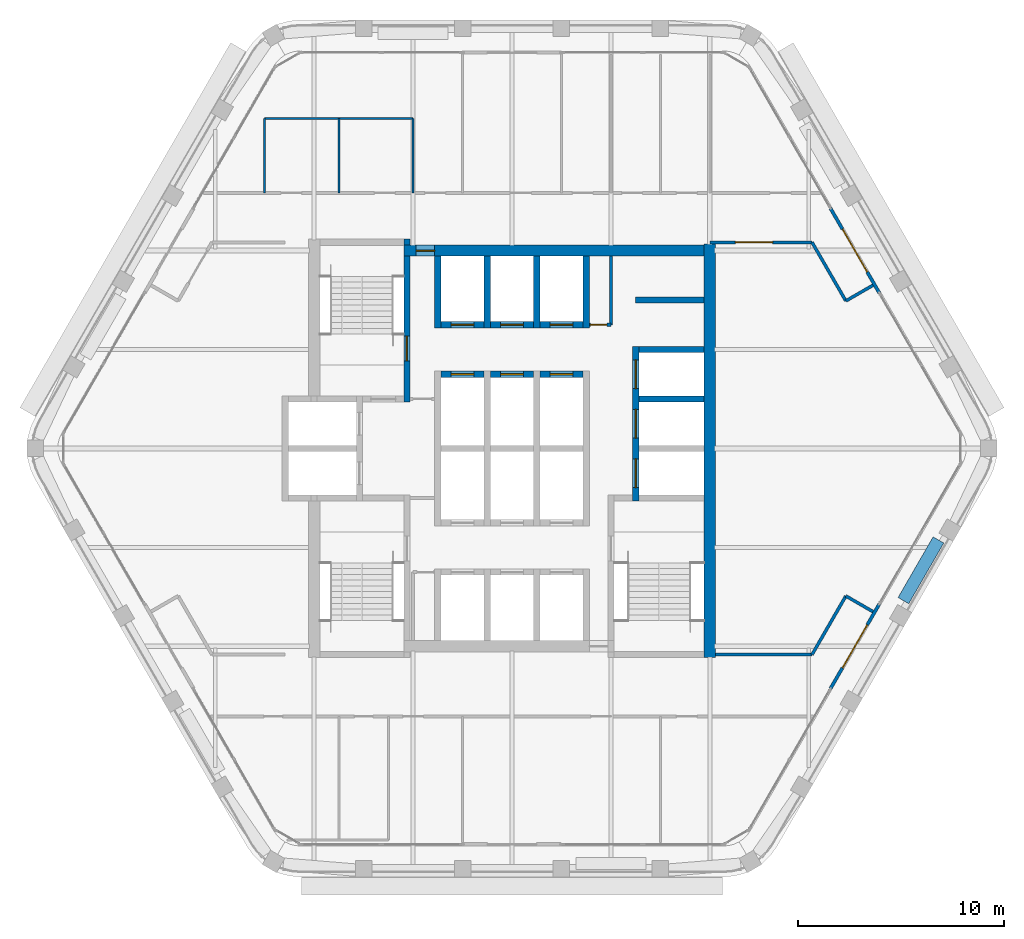
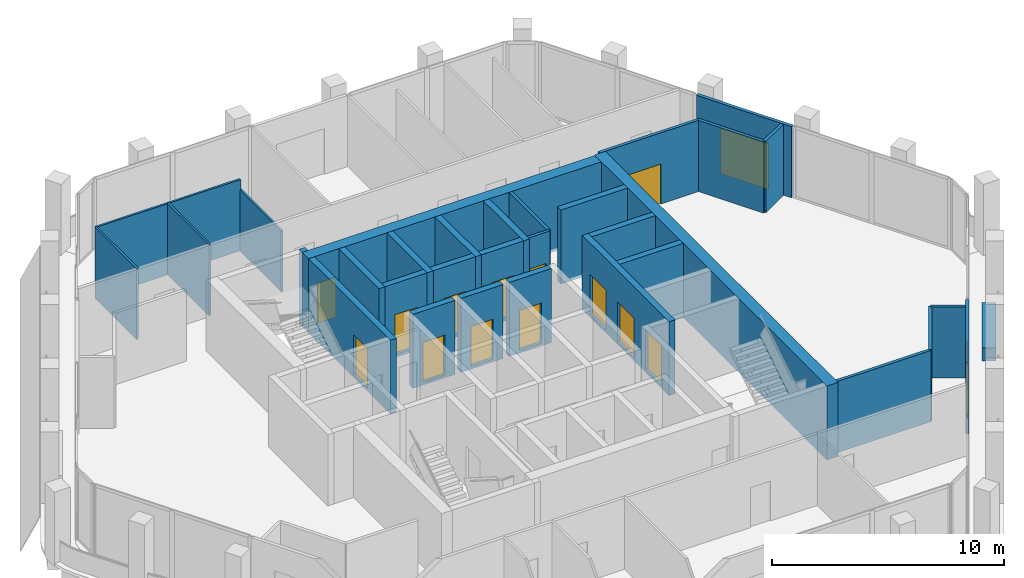
# One storey, part 9 of 13: 33 walls, 15 doors, 15 openings.
"""IFC4 building model written with IfcOpenShell, lengths in metres."""

from ifc_helpers import new_model, si_unit, direction, frame, frame_2d, origin, place, context, subcontext, project, spatial, rectangle, extrude, material, layer, layer_set, type_object, element, fill, save


model = new_model("IFC4")

# Units and contexts
model_context = context("Model", 3, precision=1e-05, world=origin(), true_north=direction((0.0, 1.0)))
body_context = subcontext(model_context, "Body", "Model", "MODEL_VIEW")
ifc_project = project(units=[si_unit("LENGTHUNIT", "METRE"), si_unit("AREAUNIT", "SQUARE_METRE"), si_unit("VOLUMEUNIT", "CUBIC_METRE"), si_unit("PLANEANGLEUNIT", "RADIAN"), si_unit("MASSUNIT", "GRAM", prefix="KILO")], contexts=[model_context])

# Site, building, storey
site_placement = place(None, origin())
site = spatial("IfcSite", under=ifc_project, at=site_placement, CompositionType="ELEMENT")
building_placement = place(site_placement, origin())
building = spatial("IfcBuilding", under=site, at=building_placement, Name="Kolab Exchange Tower", CompositionType="ELEMENT")
storey_placement = place(building_placement, frame((0.0, 0.0, 226.699951171875)))
storey = spatial("IfcBuildingStorey", under=building, at=storey_placement, Name="L49", CompositionType="ELEMENT", Elevation=226.699951171875)

# Wall, opening, door
ifc_material_1 = material(Name="Concrete C50/60", Category="concrete")
ifc_layer_1 = layer(ifc_material_1, 0.550048828125)
ifc_layer_set_1 = layer_set([ifc_layer_1], Name="Concrete C50/60")
wall_type_1 = type_object("IfcWallType", Name="CORE WALL 550 C50/60", PredefinedType="SHEAR", material=ifc_layer_set_1)
wall_1_placement = place(storey_placement, frame((-5.25, 9.60009765625, -0.14990234375), z_axis=(0.0, 0.0, 1.0), x_axis=(1.0, 0.0, 0.0)))
wall_1 = element("IfcWall", 1, at=wall_1_placement, inside=storey, type_object=wall_type_1, Name="wall/L49/core/031", PredefinedType="SHEAR", context=body_context, shape_type="SweptSolid", body=[
    extrude(rectangle(XDim=14.574951171875, YDim=0.550048828125, at=frame_2d((7.28759765625, 0.0))), origin(), (0.0, 0.0, 1.0), 3.89990234375),
])
opening_1_placement = place(wall_1_placement, frame((0.60009765625, 0.0, 0.14990234375)))
opening_1 = element("IfcOpeningElement", 2, at=opening_1_placement, cuts=wall_1, Name="Opening D6-295", PredefinedType="OPENING", context=body_context, shape_type="SweptSolid", body=[
    extrude(rectangle(XDim=0.89990234375, YDim=2.10009765625, at=frame_2d((0.449951171875, 1.050048828125))), frame((0.0, 0.28515625, 0.0), z_axis=(0.0, -1.0, 0.0), x_axis=(1.0, 0.0, 0.0)), (0.0, 0.0, 1.0), 0.570068359375),
])
ifc_material_2 = material(Name="Steel S235", Category="steel")
door_type_1 = type_object("IfcDoorType", Name="CORE DOOR 900 EI 120", OperationType="SINGLE_SWING_LEFT", PredefinedType="DOOR", material=ifc_material_2)
door_1_placement = place(opening_1_placement, frame((0.89990234375, 0.0, 0.0), z_axis=(0.0, 0.0, 1.0), x_axis=(-1.0, 0.0, 0.0)))
door_1 = element("IfcDoor", 3, at=door_1_placement, inside=storey, type_object=door_type_1, Name="Core lobby door", OperationType="SINGLE_SWING_RIGHT", OverallHeight=2.10009765625, OverallWidth=0.89990234375, PredefinedType="DOOR", context=body_context, shape_type="SweptSolid", body=[
    extrude(rectangle(XDim=0.89990234375, YDim=2.10009765625, at=frame_2d((0.449951171875, 1.050048828125))), frame((0.0, 0.02490234375, 0.0), z_axis=(0.0, -1.0, 0.0), x_axis=(1.0, 0.0, 0.0)), (0.0, 0.0, 1.0), 0.050048828125),
])
fill(opening_1, door_1)

# Wall
wall_2_placement = place(storey_placement, frame((9.60009765625, -10.14990234375, -0.14990234375), z_axis=(0.0, 0.0, 1.0), x_axis=(0.0, 1.0, 0.0)))
element("IfcWall", 4, at=wall_2_placement, inside=storey, type_object=wall_type_1, Name="wall/L49/core/058", PredefinedType="SHEAR", context=body_context, shape_type="SweptSolid", body=[
    extrude(rectangle(XDim=20.074951171875, YDim=0.550048828125, at=frame_2d((10.03759765625, 0.0))), origin(), (0.0, 0.0, 1.0), 3.89990234375),
])

# Wall, opening, door
ifc_material_3 = material(Name="Aluminium EN AW-6063 T6", Category="aluminium")
ifc_layer_2 = layer(ifc_material_3, 0.159912109375)
ifc_layer_set_2 = layer_set([ifc_layer_2], Name="Aluminium EN AW-6063 T6")
wall_type_2 = type_object("IfcWallType", Name="DOOR SURROUND WALL 160 ALUMINIUM FRAMED", PredefinedType="PARTITIONING", material=ifc_layer_set_2)
wall_3_placement = place(storey_placement, frame((15.44677734375, 11.65478515625, 0.0), z_axis=(0.0, 0.0, 1.0), x_axis=(0.499978080042, -0.866038058908, 0.0)))
wall_3 = element("IfcWall", 5, at=wall_3_placement, inside=storey, type_object=wall_type_2, Name="Door surround wall", PredefinedType="PARTITIONING", context=body_context, shape_type="SweptSolid", body=[
    extrude(rectangle(XDim=4.739990234375, YDim=0.159912109375, at=frame_2d((2.3701171875, 0.0))), origin(), (0.0, 0.0, 1.0), 3.75),
])
opening_2_placement = place(wall_3_placement, frame((1.169921875, 0.0, 0.0)))
opening_2 = element("IfcOpeningElement", 6, at=opening_2_placement, cuts=wall_3, Name="Opening GD1-090", PredefinedType="OPENING", context=body_context, shape_type="SweptSolid", body=[
    extrude(rectangle(XDim=2.39990234375, YDim=2.39990234375, at=frame_2d((1.199951171875, 1.199951171875))), frame((0.0, 0.08984375, 0.0), z_axis=(0.0, -1.0, 0.0), x_axis=(1.0, 0.0, 0.0)), (0.0, 0.0, 1.0), 0.179931640625),
])
door_type_2 = type_object("IfcDoorType", Name="LOGGIA SLIDING GLASS DOOR 2400 X 2400", OperationType="DOUBLE_DOOR_SINGLE_SWING", PredefinedType="DOOR", material=ifc_material_3)
door_2_placement = place(opening_2_placement, origin())
door_2 = element("IfcDoor", 7, at=door_2_placement, inside=storey, type_object=door_type_2, Name="Loggia door", OperationType="DOUBLE_DOOR_SLIDING", OverallHeight=2.39990234375, OverallWidth=2.39990234375, PredefinedType="DOOR", context=body_context, shape_type="SweptSolid", body=[
    extrude(rectangle(XDim=2.39990234375, YDim=2.39990234375, at=frame_2d((1.199951171875, 1.199951171875))), frame((0.0, 0.02490234375, 0.0), z_axis=(0.0, -1.0, 0.0), x_axis=(1.0, 0.0, 0.0)), (0.0, 0.0, 1.0), 0.050048828125),
])
fill(opening_2, door_2)

wall_4_placement = place(storey_placement, frame((17.816650390625, -7.5498046875, 0.0), z_axis=(0.0, 0.0, 1.0), x_axis=(-0.499978080042, -0.866038058908, 0.0)))
wall_4 = element("IfcWall", 8, at=wall_4_placement, inside=storey, type_object=wall_type_2, Name="Door surround wall", PredefinedType="PARTITIONING", context=body_context, shape_type="SweptSolid", body=[
    extrude(rectangle(XDim=4.739990234375, YDim=0.159912109375, at=frame_2d((2.3701171875, 0.0))), origin(), (0.0, 0.0, 1.0), 3.75),
])
opening_3_placement = place(wall_4_placement, frame((1.169921875, 0.0, 0.0)))
opening_3 = element("IfcOpeningElement", 9, at=opening_3_placement, cuts=wall_4, Name="Opening GD1-091", PredefinedType="OPENING", context=body_context, shape_type="SweptSolid", body=[
    extrude(rectangle(XDim=2.39990234375, YDim=2.39990234375, at=frame_2d((1.199951171875, 1.199951171875))), frame((0.0, 0.08984375, 0.0), z_axis=(0.0, -1.0, 0.0), x_axis=(1.0, 0.0, 0.0)), (0.0, 0.0, 1.0), 0.179931640625),
])
door_3_placement = place(opening_3_placement, origin())
door_3 = element("IfcDoor", 10, at=door_3_placement, inside=storey, type_object=door_type_2, Name="Loggia door", OperationType="DOUBLE_DOOR_SLIDING", OverallHeight=2.39990234375, OverallWidth=2.39990234375, PredefinedType="DOOR", context=body_context, shape_type="SweptSolid", body=[
    extrude(rectangle(XDim=2.39990234375, YDim=2.39990234375, at=frame_2d((1.199951171875, 1.199951171875))), frame((0.0, 0.02490234375, 0.0), z_axis=(0.0, -1.0, 0.0), x_axis=(1.0, 0.0, 0.0)), (0.0, 0.0, 1.0), 0.050048828125),
])
fill(opening_3, door_3)

# Wall
ifc_layer_3 = layer(ifc_material_1, 0.300048828125)
ifc_layer_set_3 = layer_set([ifc_layer_3], Name="Concrete C50/60")
wall_type_3 = type_object("IfcWallType", Name="LIFT SHAFT WALL 300 C50/60", PredefinedType="STANDARD", material=ifc_layer_set_3)
wall_5_placement = place(storey_placement, frame((6.14990234375, 2.39990234375, -0.14990234375), z_axis=(0.0, 0.0, 1.0), x_axis=(1.0, 0.0, 0.0)))
element("IfcWall", 11, at=wall_5_placement, inside=storey, type_object=wall_type_3, Name="wall/L49/core/022", PredefinedType="STANDARD", context=body_context, shape_type="SweptSolid", body=[
    extrude(rectangle(XDim=3.175048828125, YDim=0.300048828125, at=frame_2d((1.58740234375, 0.0))), origin(), (0.0, 0.0, 1.0), 3.89990234375),
])

# Wall, opening, door
wall_6_placement = place(storey_placement, frame((-3.449951171875, 3.60009765625, -0.14990234375), z_axis=(0.0, 0.0, 1.0), x_axis=(1.0, 0.0, 0.0)))
wall_6 = element("IfcWall", 12, at=wall_6_placement, inside=storey, type_object=wall_type_3, Name="wall/L49/core/023", PredefinedType="STANDARD", context=body_context, shape_type="SweptSolid", body=[
    extrude(rectangle(XDim=2.099853515625, YDim=0.300048828125, at=frame_2d((1.0498046875, 0.0))), origin(), (0.0, 0.0, 1.0), 3.89990234375),
])
opening_4_placement = place(wall_6_placement, frame((0.5, 0.0, 0.14990234375)))
opening_4 = element("IfcOpeningElement", 13, at=opening_4_placement, cuts=wall_6, Name="Opening LD1-115", PredefinedType="OPENING", context=body_context, shape_type="SweptSolid", body=[
    extrude(rectangle(XDim=1.10009765625, YDim=2.10009765625, at=frame_2d((0.550048828125, 1.050048828125))), frame((0.0, 0.16015625, 0.0), z_axis=(0.0, -1.0, 0.0), x_axis=(1.0, 0.0, 0.0)), (0.0, 0.0, 1.0), 0.320068359375),
])
ifc_material_4 = material(Name="Stainless steel 316", Category="steel")
door_type_3 = type_object("IfcDoorType", Name="LANDING DOOR 1100 PASSENGER", OperationType="DOUBLE_DOOR_SLIDING", PredefinedType="DOOR", material=ifc_material_4)
door_4_placement = place(opening_4_placement, origin())
door_4 = element("IfcDoor", 14, at=door_4_placement, inside=storey, type_object=door_type_3, Name="Landing door HR4", OperationType="DOUBLE_DOOR_SLIDING", OverallHeight=2.10009765625, OverallWidth=1.10009765625, PredefinedType="DOOR", context=body_context, shape_type="SweptSolid", body=[
    extrude(rectangle(XDim=1.10009765625, YDim=2.10009765625, at=frame_2d((0.550048828125, 1.050048828125))), frame((0.0, 0.02490234375, 0.0), z_axis=(0.0, -1.0, 0.0), x_axis=(1.0, 0.0, 0.0)), (0.0, 0.0, 1.0), 0.050048828125),
])
fill(opening_4, door_4)

wall_7_placement = place(storey_placement, frame((-1.050048828125, 3.60009765625, -0.14990234375), z_axis=(0.0, 0.0, 1.0), x_axis=(1.0, 0.0, 0.0)))
wall_7 = element("IfcWall", 15, at=wall_7_placement, inside=storey, type_object=wall_type_3, Name="wall/L49/core/024", PredefinedType="STANDARD", context=body_context, shape_type="SweptSolid", body=[
    extrude(rectangle(XDim=2.10009765625, YDim=0.300048828125, at=frame_2d((1.050048828125, 0.0))), origin(), (0.0, 0.0, 1.0), 3.89990234375),
])
opening_5_placement = place(wall_7_placement, frame((0.5, 0.0, 0.14990234375)))
opening_5 = element("IfcOpeningElement", 16, at=opening_5_placement, cuts=wall_7, Name="Opening LD1-116", PredefinedType="OPENING", context=body_context, shape_type="SweptSolid", body=[
    extrude(rectangle(XDim=1.10009765625, YDim=2.10009765625, at=frame_2d((0.550048828125, 1.050048828125))), frame((0.0, 0.16015625, 0.0), z_axis=(0.0, -1.0, 0.0), x_axis=(1.0, 0.0, 0.0)), (0.0, 0.0, 1.0), 0.320068359375),
])
door_5_placement = place(opening_5_placement, origin())
door_5 = element("IfcDoor", 17, at=door_5_placement, inside=storey, type_object=door_type_3, Name="Landing door HR5", OperationType="DOUBLE_DOOR_SLIDING", OverallHeight=2.10009765625, OverallWidth=1.10009765625, PredefinedType="DOOR", context=body_context, shape_type="SweptSolid", body=[
    extrude(rectangle(XDim=1.10009765625, YDim=2.10009765625, at=frame_2d((0.550048828125, 1.050048828125))), frame((0.0, 0.02490234375, 0.0), z_axis=(0.0, -1.0, 0.0), x_axis=(1.0, 0.0, 0.0)), (0.0, 0.0, 1.0), 0.050048828125),
])
fill(opening_5, door_5)

wall_8_placement = place(storey_placement, frame((1.35009765625, 3.60009765625, -0.14990234375), z_axis=(0.0, 0.0, 1.0), x_axis=(1.0, 0.0, 0.0)))
wall_8 = element("IfcWall", 18, at=wall_8_placement, inside=storey, type_object=wall_type_3, Name="wall/L49/core/025", PredefinedType="STANDARD", context=body_context, shape_type="SweptSolid", body=[
    extrude(rectangle(XDim=2.099853515625, YDim=0.300048828125, at=frame_2d((1.0498046875, 0.0))), origin(), (0.0, 0.0, 1.0), 3.89990234375),
])
opening_6_placement = place(wall_8_placement, frame((0.5, 0.0, 0.14990234375)))
opening_6 = element("IfcOpeningElement", 19, at=opening_6_placement, cuts=wall_8, Name="Opening LD1-117", PredefinedType="OPENING", context=body_context, shape_type="SweptSolid", body=[
    extrude(rectangle(XDim=1.10009765625, YDim=2.10009765625, at=frame_2d((0.550048828125, 1.050048828125))), frame((0.0, 0.16015625, 0.0), z_axis=(0.0, -1.0, 0.0), x_axis=(1.0, 0.0, 0.0)), (0.0, 0.0, 1.0), 0.320068359375),
])
door_6_placement = place(opening_6_placement, origin())
door_6 = element("IfcDoor", 20, at=door_6_placement, inside=storey, type_object=door_type_3, Name="Landing door HR6", OperationType="DOUBLE_DOOR_SLIDING", OverallHeight=2.10009765625, OverallWidth=1.10009765625, PredefinedType="DOOR", context=body_context, shape_type="SweptSolid", body=[
    extrude(rectangle(XDim=1.10009765625, YDim=2.10009765625, at=frame_2d((0.550048828125, 1.050048828125))), frame((0.0, 0.02490234375, 0.0), z_axis=(0.0, -1.0, 0.0), x_axis=(1.0, 0.0, 0.0)), (0.0, 0.0, 1.0), 0.050048828125),
])
fill(opening_6, door_6)

# Wall
wall_9_placement = place(storey_placement, frame((6.14990234375, 4.800048828125, -0.14990234375), z_axis=(0.0, 0.0, 1.0), x_axis=(1.0, 0.0, 0.0)))
element("IfcWall", 21, at=wall_9_placement, inside=storey, type_object=wall_type_3, Name="wall/L49/core/026", PredefinedType="STANDARD", context=body_context, shape_type="SweptSolid", body=[
    extrude(rectangle(XDim=3.175048828125, YDim=0.300048828125, at=frame_2d((1.58740234375, 0.0))), origin(), (0.0, 0.0, 1.0), 3.89990234375),
])

# Wall, opening, door
wall_10_placement = place(storey_placement, frame((-3.449951171875, 6.0, -0.14990234375), z_axis=(0.0, 0.0, 1.0), x_axis=(1.0, 0.0, 0.0)))
wall_10 = element("IfcWall", 22, at=wall_10_placement, inside=storey, type_object=wall_type_3, Name="wall/L49/core/027", PredefinedType="STANDARD", context=body_context, shape_type="SweptSolid", body=[
    extrude(rectangle(XDim=2.099853515625, YDim=0.300048828125, at=frame_2d((1.0498046875, 0.0))), origin(), (0.0, 0.0, 1.0), 3.89990234375),
])
opening_7_placement = place(wall_10_placement, frame((0.5, 0.0, 0.14990234375)))
opening_7 = element("IfcOpeningElement", 23, at=opening_7_placement, cuts=wall_10, Name="Opening LD1-109", PredefinedType="OPENING", context=body_context, shape_type="SweptSolid", body=[
    extrude(rectangle(XDim=1.10009765625, YDim=2.10009765625, at=frame_2d((0.550048828125, 1.050048828125))), frame((0.0, 0.16015625, 0.0), z_axis=(0.0, -1.0, 0.0), x_axis=(1.0, 0.0, 0.0)), (0.0, 0.0, 1.0), 0.320068359375),
])
door_7_placement = place(opening_7_placement, origin())
door_7 = element("IfcDoor", 24, at=door_7_placement, inside=storey, type_object=door_type_3, Name="Landing door HR1", OperationType="DOUBLE_DOOR_SLIDING", OverallHeight=2.10009765625, OverallWidth=1.10009765625, PredefinedType="DOOR", context=body_context, shape_type="SweptSolid", body=[
    extrude(rectangle(XDim=1.10009765625, YDim=2.10009765625, at=frame_2d((0.550048828125, 1.050048828125))), frame((0.0, 0.02490234375, 0.0), z_axis=(0.0, -1.0, 0.0), x_axis=(1.0, 0.0, 0.0)), (0.0, 0.0, 1.0), 0.050048828125),
])
fill(opening_7, door_7)

wall_11_placement = place(storey_placement, frame((-1.050048828125, 6.0, -0.14990234375), z_axis=(0.0, 0.0, 1.0), x_axis=(1.0, 0.0, 0.0)))
wall_11 = element("IfcWall", 25, at=wall_11_placement, inside=storey, type_object=wall_type_3, Name="wall/L49/core/028", PredefinedType="STANDARD", context=body_context, shape_type="SweptSolid", body=[
    extrude(rectangle(XDim=2.10009765625, YDim=0.300048828125, at=frame_2d((1.050048828125, 0.0))), origin(), (0.0, 0.0, 1.0), 3.89990234375),
])
opening_8_placement = place(wall_11_placement, frame((0.5, 0.0, 0.14990234375)))
opening_8 = element("IfcOpeningElement", 26, at=opening_8_placement, cuts=wall_11, Name="Opening LD1-113", PredefinedType="OPENING", context=body_context, shape_type="SweptSolid", body=[
    extrude(rectangle(XDim=1.10009765625, YDim=2.10009765625, at=frame_2d((0.550048828125, 1.050048828125))), frame((0.0, 0.16015625, 0.0), z_axis=(0.0, -1.0, 0.0), x_axis=(1.0, 0.0, 0.0)), (0.0, 0.0, 1.0), 0.320068359375),
])
door_8_placement = place(opening_8_placement, origin())
door_8 = element("IfcDoor", 27, at=door_8_placement, inside=storey, type_object=door_type_3, Name="Landing door HR2", OperationType="DOUBLE_DOOR_SLIDING", OverallHeight=2.10009765625, OverallWidth=1.10009765625, PredefinedType="DOOR", context=body_context, shape_type="SweptSolid", body=[
    extrude(rectangle(XDim=1.10009765625, YDim=2.10009765625, at=frame_2d((0.550048828125, 1.050048828125))), frame((0.0, 0.02490234375, 0.0), z_axis=(0.0, -1.0, 0.0), x_axis=(1.0, 0.0, 0.0)), (0.0, 0.0, 1.0), 0.050048828125),
])
fill(opening_8, door_8)

wall_12_placement = place(storey_placement, frame((1.35009765625, 6.0, -0.14990234375), z_axis=(0.0, 0.0, 1.0), x_axis=(1.0, 0.0, 0.0)))
wall_12 = element("IfcWall", 28, at=wall_12_placement, inside=storey, type_object=wall_type_3, Name="wall/L49/core/029", PredefinedType="STANDARD", context=body_context, shape_type="SweptSolid", body=[
    extrude(rectangle(XDim=2.099853515625, YDim=0.300048828125, at=frame_2d((1.0498046875, 0.0))), origin(), (0.0, 0.0, 1.0), 3.89990234375),
])
opening_9_placement = place(wall_12_placement, frame((0.5, 0.0, 0.14990234375)))
opening_9 = element("IfcOpeningElement", 29, at=opening_9_placement, cuts=wall_12, Name="Opening LD1-114", PredefinedType="OPENING", context=body_context, shape_type="SweptSolid", body=[
    extrude(rectangle(XDim=1.10009765625, YDim=2.10009765625, at=frame_2d((0.550048828125, 1.050048828125))), frame((0.0, 0.16015625, 0.0), z_axis=(0.0, -1.0, 0.0), x_axis=(1.0, 0.0, 0.0)), (0.0, 0.0, 1.0), 0.320068359375),
])
door_9_placement = place(opening_9_placement, origin())
door_9 = element("IfcDoor", 30, at=door_9_placement, inside=storey, type_object=door_type_3, Name="Landing door HR3", OperationType="DOUBLE_DOOR_SLIDING", OverallHeight=2.10009765625, OverallWidth=1.10009765625, PredefinedType="DOOR", context=body_context, shape_type="SweptSolid", body=[
    extrude(rectangle(XDim=1.10009765625, YDim=2.10009765625, at=frame_2d((0.550048828125, 1.050048828125))), frame((0.0, 0.02490234375, 0.0), z_axis=(0.0, -1.0, 0.0), x_axis=(1.0, 0.0, 0.0)), (0.0, 0.0, 1.0), 0.050048828125),
])
fill(opening_9, door_9)

# Walls
wall_13_placement = place(storey_placement, frame((6.0, 7.199951171875, -0.14990234375), z_axis=(0.0, 0.0, 1.0), x_axis=(1.0, 0.0, 0.0)))
element("IfcWall", 31, at=wall_13_placement, inside=storey, type_object=wall_type_3, Name="wall/L49/core/030", PredefinedType="STANDARD", context=body_context, shape_type="SweptSolid", body=[
    extrude(rectangle(XDim=3.324951171875, YDim=0.300048828125, at=frame_2d((1.66259765625, 0.0))), origin(), (0.0, 0.0, 1.0), 3.89990234375),
])
for number, where, z_axis, x_axis, name in (
    (32, (-3.60009765625, 5.85009765625, -0.14990234375), (0.0, 0.0, 1.0), (0.0, 1.0, 0.0), "wall/L49/core/045"),
    (33, (-1.199951171875, 5.85009765625, -0.14990234375), (0.0, 0.0, 1.0), (0.0, 1.0, 0.0), "wall/L49/core/048"),
    (34, (1.199951171875, 5.85009765625, -0.14990234375), (0.0, 0.0, 1.0), (0.0, 1.0, 0.0), "wall/L49/core/051"),
    (35, (3.60009765625, 5.85009765625, -0.14990234375), (0.0, 0.0, 1.0), (0.0, 1.0, 0.0), "wall/L49/core/054"),
):
    element("IfcWall", number, at=place(storey_placement, frame(where, z_axis=z_axis, x_axis=x_axis)), inside=storey, type_object=wall_type_3, Name=name, PredefinedType="STANDARD", context=body_context, shape_type="SweptSolid", body=[
        extrude(rectangle(XDim=3.474853515625, YDim=0.300048828125, at=frame_2d((1.7373046875, 0.0))), origin(), (0.0, 0.0, 1.0), 3.89990234375),
    ])

# Wall, openings, doors
wall_14_placement = place(storey_placement, frame((6.0, -2.550048828125, -0.14990234375), z_axis=(0.0, 0.0, 1.0), x_axis=(0.0, 1.0, 0.0)))
wall_14 = element("IfcWall", 36, at=wall_14_placement, inside=storey, type_object=wall_type_3, Name="wall/L49/core/057", PredefinedType="STANDARD", context=body_context, shape_type="SweptSolid", body=[
    extrude(rectangle(XDim=7.5, YDim=0.300048828125, at=frame_2d((3.75, 0.0))), origin(), (0.0, 0.0, 1.0), 3.89990234375),
])
opening_10_placement = place(wall_14_placement, frame((0.64990234375, 0.0, 0.14990234375)))
opening_10 = element("IfcOpeningElement", 37, at=opening_10_placement, cuts=wall_14, Name="Opening LD3-037", PredefinedType="OPENING", context=body_context, shape_type="SweptSolid", body=[
    extrude(rectangle(XDim=1.39990234375, YDim=2.10009765625, at=frame_2d((0.699951171875, 1.050048828125))), frame((0.0, 0.16015625, 0.0), z_axis=(0.0, -1.0, 0.0), x_axis=(1.0, 0.0, 0.0)), (0.0, 0.0, 1.0), 0.320068359375),
])
opening_11_placement = place(wall_14_placement, frame((3.050048828125, 0.0, 0.14990234375)))
opening_11 = element("IfcOpeningElement", 38, at=opening_11_placement, cuts=wall_14, Name="Opening LD3-038", PredefinedType="OPENING", context=body_context, shape_type="SweptSolid", body=[
    extrude(rectangle(XDim=1.39990234375, YDim=2.10009765625, at=frame_2d((0.699951171875, 1.050048828125))), frame((0.0, 0.16015625, 0.0), z_axis=(0.0, -1.0, 0.0), x_axis=(1.0, 0.0, 0.0)), (0.0, 0.0, 1.0), 0.320068359375),
])
opening_12_placement = place(wall_14_placement, frame((5.449951171875, 0.0, 0.14990234375)))
opening_12 = element("IfcOpeningElement", 39, at=opening_12_placement, cuts=wall_14, Name="Opening LD3-039", PredefinedType="OPENING", context=body_context, shape_type="SweptSolid", body=[
    extrude(rectangle(XDim=1.39990234375, YDim=2.10009765625, at=frame_2d((0.699951171875, 1.050048828125))), frame((0.0, 0.16015625, 0.0), z_axis=(0.0, -1.0, 0.0), x_axis=(1.0, 0.0, 0.0)), (0.0, 0.0, 1.0), 0.320068359375),
])
door_type_4 = type_object("IfcDoorType", Name="LANDING DOOR 1400 SERVICE", OperationType="DOUBLE_DOOR_SLIDING", PredefinedType="DOOR", material=ifc_material_4)
door_10_placement = place(opening_10_placement, origin())
door_10 = element("IfcDoor", 40, at=door_10_placement, inside=storey, type_object=door_type_4, Name="Landing door SV1", OperationType="DOUBLE_DOOR_SLIDING", OverallHeight=2.10009765625, OverallWidth=1.39990234375, PredefinedType="DOOR", context=body_context, shape_type="SweptSolid", body=[
    extrude(rectangle(XDim=1.39990234375, YDim=2.10009765625, at=frame_2d((0.699951171875, 1.050048828125))), frame((0.0, 0.02490234375, 0.0), z_axis=(0.0, -1.0, 0.0), x_axis=(1.0, 0.0, 0.0)), (0.0, 0.0, 1.0), 0.050048828125),
])
fill(opening_10, door_10)
door_11_placement = place(opening_11_placement, origin())
door_11 = element("IfcDoor", 41, at=door_11_placement, inside=storey, type_object=door_type_4, Name="Landing door SV2", OperationType="DOUBLE_DOOR_SLIDING", OverallHeight=2.10009765625, OverallWidth=1.39990234375, PredefinedType="DOOR", context=body_context, shape_type="SweptSolid", body=[
    extrude(rectangle(XDim=1.39990234375, YDim=2.10009765625, at=frame_2d((0.699951171875, 1.050048828125))), frame((0.0, 0.02490234375, 0.0), z_axis=(0.0, -1.0, 0.0), x_axis=(1.0, 0.0, 0.0)), (0.0, 0.0, 1.0), 0.050048828125),
])
fill(opening_11, door_11)
door_12_placement = place(opening_12_placement, origin())
door_12 = element("IfcDoor", 42, at=door_12_placement, inside=storey, type_object=door_type_4, Name="Landing door SV3", OperationType="DOUBLE_DOOR_SLIDING", OverallHeight=2.10009765625, OverallWidth=1.39990234375, PredefinedType="DOOR", context=body_context, shape_type="SweptSolid", body=[
    extrude(rectangle(XDim=1.39990234375, YDim=2.10009765625, at=frame_2d((0.699951171875, 1.050048828125))), frame((0.0, 0.02490234375, 0.0), z_axis=(0.0, -1.0, 0.0), x_axis=(1.0, 0.0, 0.0)), (0.0, 0.0, 1.0), 0.050048828125),
])
fill(opening_12, door_12)

# Walls
ifc_material_5 = material(Name="Gypsum board", Category="gypsum")
ifc_layer_4 = layer(ifc_material_5, 0.10009765625)
ifc_layer_set_4 = layer_set([ifc_layer_4], Name="Gypsum board")
wall_type_4 = type_object("IfcWallType", Name="PARTITION 100", PredefinedType="PARTITIONING", material=ifc_layer_set_4)
wall_15_placement = place(storey_placement, frame((-4.800048828125, 12.39990234375, 0.0), z_axis=(0.0, 0.0, 1.0), x_axis=(0.0, 1.0, 0.0)))
element("IfcWall", 43, at=wall_15_placement, inside=storey, type_object=wall_type_4, Name="Partition 008", PredefinedType="PARTITIONING", context=body_context, shape_type="SweptSolid", body=[
    extrude(rectangle(XDim=3.60009765625, YDim=0.10009765625, at=frame_2d((1.800048828125, 0.0))), origin(), (0.0, 0.0, 1.0), 3.217041015625),
])
for number, where, z_axis, x_axis, name in (
    (44, (-8.39990234375, 12.39990234375, 0.0), (0.0, 0.0, 1.0), (0.0, 1.0, 0.0), "Partition 012"),
    (45, (-12.0, 12.39990234375, 0.0), (0.0, 0.0, 1.0), (0.0, 1.0, 0.0), "Partition 013"),
):
    element("IfcWall", number, at=place(storey_placement, frame(where, z_axis=z_axis, x_axis=x_axis)), inside=storey, type_object=wall_type_4, Name=name, PredefinedType="PARTITIONING", context=body_context, shape_type="SweptSolid", body=[
        extrude(rectangle(XDim=3.60009765625, YDim=0.10009765625, at=frame_2d((1.800048828125, 0.0))), origin(), (0.0, 0.0, 1.0), 3.75),
    ])
wall_16_placement = place(storey_placement, frame((-12.0, 16.0, 0.0), z_axis=(0.0, 0.0, 1.0), x_axis=(1.0, 0.0, 0.0)))
element("IfcWall", 46, at=wall_16_placement, inside=storey, type_object=wall_type_4, Name="Partition 031", PredefinedType="PARTITIONING", context=body_context, shape_type="SweptSolid", body=[
    extrude(rectangle(XDim=7.199951171875, YDim=0.10009765625, at=frame_2d((3.60009765625, 0.0))), origin(), (0.0, 0.0, 1.0), 3.75),
])
ifc_layer_5 = layer(ifc_material_5, 0.14990234375)
ifc_layer_set_5 = layer_set([ifc_layer_5], Name="Gypsum board")
wall_type_5 = type_object("IfcWallType", Name="PARTITION 150 FIRE-RATED", PredefinedType="PARTITIONING", material=ifc_layer_set_5)
wall_17_placement = place(storey_placement, frame((4.800048828125, 6.0, 0.0), z_axis=(0.0, 0.0, 1.0), x_axis=(0.0, 1.0, 0.0)))
element("IfcWall", 47, at=wall_17_placement, inside=storey, type_object=wall_type_5, Name="Partition 004", PredefinedType="PARTITIONING", context=body_context, shape_type="SweptSolid", body=[
    extrude(rectangle(XDim=3.324951171875, YDim=0.14990234375, at=frame_2d((1.66259765625, 0.0))), origin(), (0.0, 0.0, 1.0), 3.75),
])
for number, where, z_axis, x_axis, name in (
    (48, (14.5546875, 10.0, 0.0), (0.0, 0.0, 1.0), (0.499954196102, -0.866051847062, 0.0), "Partition 015"),
    (49, (14.5546875, -10.0, 0.0), (0.0, 0.0, 1.0), (0.499954196102, 0.866051847062, 0.0), "Partition 016"),
):
    element("IfcWall", number, at=place(storey_placement, frame(where, z_axis=z_axis, x_axis=x_axis)), inside=storey, type_object=wall_type_5, Name=name, PredefinedType="PARTITIONING", context=body_context, shape_type="SweptSolid", body=[
        extrude(rectangle(XDim=3.282958984375, YDim=0.14990234375, at=frame_2d((1.6416015625, 0.0))), origin(), (0.0, 0.0, 1.0), 3.75),
    ])
for number, where, z_axis, x_axis, name in (
    (50, (16.196044921875, -7.15673828125, 0.0), (0.0, 0.0, 1.0), (0.865960906633, -0.500111695708, 0.0), "Partition 019"),
    (51, (16.196044921875, 7.15673828125, 0.0), (0.0, 0.0, 1.0), (0.865960906633, 0.500111695708, 0.0), "Partition 020"),
):
    element("IfcWall", number, at=place(storey_placement, frame(where, z_axis=z_axis, x_axis=x_axis)), inside=storey, type_object=wall_type_5, Name=name, PredefinedType="PARTITIONING", context=body_context, shape_type="SweptSolid", body=[
        extrude(rectangle(XDim=1.520263671875, YDim=0.14990234375, at=frame_2d((0.76025390625, 0.0))), origin(), (0.0, 0.0, 1.0), 3.75),
    ])
wall_18_placement = place(storey_placement, frame((9.875, -10.0, 0.0), z_axis=(0.0, 0.0, 1.0), x_axis=(1.0, 0.0, 0.0)))
element("IfcWall", 52, at=wall_18_placement, inside=storey, type_object=wall_type_5, Name="Partition 025", PredefinedType="PARTITIONING", context=body_context, shape_type="SweptSolid", body=[
    extrude(rectangle(XDim=4.6796875, YDim=0.14990234375, at=frame_2d((2.33984375, 0.0))), origin(), (0.0, 0.0, 1.0), 3.75),
])

# Wall, opening, door
wall_19_placement = place(storey_placement, frame((3.75, 6.0, 0.0), z_axis=(0.0, 0.0, 1.0), x_axis=(1.0, 0.0, 0.0)))
wall_19 = element("IfcWall", 53, at=wall_19_placement, inside=storey, type_object=wall_type_5, Name="Partition 027", PredefinedType="PARTITIONING", context=body_context, shape_type="SweptSolid", body=[
    extrude(rectangle(XDim=1.050048828125, YDim=0.14990234375, at=frame_2d((0.52490234375, 0.0))), origin(), (0.0, 0.0, 1.0), 3.75),
])
opening_13_placement = place(wall_19_placement, frame((0.050048828125, 0.0, 0.0)))
opening_13 = element("IfcOpeningElement", 54, at=opening_13_placement, cuts=wall_19, Name="Opening D7-039", PredefinedType="OPENING", context=body_context, shape_type="SweptSolid", body=[
    extrude(rectangle(XDim=0.800048828125, YDim=2.10009765625, at=frame_2d((0.39990234375, 1.050048828125))), frame((0.0, 0.0849609375, 0.0), z_axis=(0.0, -1.0, 0.0), x_axis=(1.0, 0.0, 0.0)), (0.0, 0.0, 1.0), 0.169921875),
])
door_type_5 = type_object("IfcDoorType", Name="FLUSH DOOR 800 FD60", OperationType="SINGLE_SWING_LEFT", PredefinedType="DOOR", material=ifc_material_2)
door_13_placement = place(opening_13_placement, origin())
door_13 = element("IfcDoor", 55, at=door_13_placement, inside=storey, type_object=door_type_5, Name="Door L49-023", OperationType="SINGLE_SWING_RIGHT", OverallHeight=2.10009765625, OverallWidth=0.800048828125, PredefinedType="DOOR", context=body_context, shape_type="SweptSolid", body=[
    extrude(rectangle(XDim=0.800048828125, YDim=2.10009765625, at=frame_2d((0.39990234375, 1.050048828125))), frame((0.0, 0.02490234375, 0.0), z_axis=(0.0, -1.0, 0.0), x_axis=(1.0, 0.0, 0.0)), (0.0, 0.0, 1.0), 0.050048828125),
])
fill(opening_13, door_13)

wall_20_placement = place(storey_placement, frame((9.60009765625, 10.0, 0.0), z_axis=(0.0, 0.0, 1.0), x_axis=(1.0, 0.0, 0.0)))
wall_20 = element("IfcWall", 56, at=wall_20_placement, inside=storey, type_object=wall_type_5, Name="Partition 029", PredefinedType="PARTITIONING", context=body_context, shape_type="SweptSolid", body=[
    extrude(rectangle(XDim=4.95458984375, YDim=0.14990234375, at=frame_2d((2.477294921875, 0.0))), origin(), (0.0, 0.0, 1.0), 3.75),
])
opening_14_placement = place(wall_20_placement, frame((1.239013671875, 0.0, 0.0)))
opening_14 = element("IfcOpeningElement", 57, at=opening_14_placement, cuts=wall_20, Name="Opening D2-065", PredefinedType="OPENING", context=body_context, shape_type="SweptSolid", body=[
    extrude(rectangle(XDim=1.800048828125, YDim=2.10009765625, at=frame_2d((0.89990234375, 1.050048828125))), frame((0.0, 0.0849609375, 0.0), z_axis=(0.0, -1.0, 0.0), x_axis=(1.0, 0.0, 0.0)), (0.0, 0.0, 1.0), 0.169921875),
])
door_type_6 = type_object("IfcDoorType", Name="DOUBLE DOOR 1800 FD60", OperationType="DOUBLE_DOOR_SINGLE_SWING", PredefinedType="DOOR", material=ifc_material_2)
door_14_placement = place(opening_14_placement, frame((1.800048828125, 0.0, 0.0), z_axis=(0.0, 0.0, 1.0), x_axis=(-1.0, 0.0, 0.0)))
door_14 = element("IfcDoor", 58, at=door_14_placement, inside=storey, type_object=door_type_6, Name="Door L49-042", OperationType="SINGLE_SWING_LEFT", OverallHeight=2.10009765625, OverallWidth=1.800048828125, PredefinedType="DOOR", context=body_context, shape_type="SweptSolid", body=[
    extrude(rectangle(XDim=1.800048828125, YDim=2.10009765625, at=frame_2d((0.89990234375, 1.050048828125))), frame((0.0, 0.02490234375, 0.0), z_axis=(0.0, -1.0, 0.0), x_axis=(1.0, 0.0, 0.0)), (0.0, 0.0, 1.0), 0.050048828125),
])
fill(opening_14, door_14)

# Wall
ifc_material_6 = material(Name="Granite facing", Category="masonry")
ifc_layer_6 = layer(ifc_material_6, 0.0400390625)
ifc_material_7 = material(Name="Concrete C40/50 precast", Category="concrete")
ifc_layer_7 = layer(ifc_material_7, 0.56005859375)
ifc_layer_set_6 = layer_set([ifc_layer_6, ifc_layer_7], Name="Concrete C40/50 precast")
wall_type_6 = type_object("IfcWallType", Name="PLANTER BOX 600 X 700 SOIL DEPTH 550", PredefinedType="USERDEFINED", material=ifc_layer_set_6)
wall_21_placement = place(storey_placement, frame((20.68701171875, -4.438232421875, 0.0), z_axis=(0.0, 0.0, 1.0), x_axis=(-0.500008388397, -0.866020560687, 0.0)))
element("IfcWall", 59, at=wall_21_placement, inside=storey, type_object=wall_type_6, Name="Planter", ObjectType="PLANTER", PredefinedType="USERDEFINED", context=body_context, shape_type="SweptSolid", body=[
    extrude(rectangle(XDim=3.39990234375, YDim=0.60009765625, at=frame_2d((1.699951171875, 0.0))), origin(), (0.0, 0.0, 1.0), 0.699951171875),
])

# Wall, opening, door
ifc_layer_8 = layer(ifc_material_1, 0.300048828125)
ifc_layer_set_7 = layer_set([ifc_layer_8], Name="Concrete C50/60")
wall_type_7 = type_object("IfcWallType", Name="STAIR ENCLOSURE WALL 300 C50/60", PredefinedType="STANDARD", material=ifc_layer_set_7)
wall_22_placement = place(storey_placement, frame((-5.10009765625, 2.25, -0.14990234375), z_axis=(0.0, 0.0, 1.0), x_axis=(0.0, 1.0, 0.0)))
wall_22 = element("IfcWall", 60, at=wall_22_placement, inside=storey, type_object=wall_type_7, Name="wall/L49/core/041", PredefinedType="STANDARD", context=body_context, shape_type="SweptSolid", body=[
    extrude(rectangle(XDim=7.074951171875, YDim=0.300048828125, at=frame_2d((3.53759765625, 0.0))), origin(), (0.0, 0.0, 1.0), 3.89990234375),
])
opening_15_placement = place(wall_22_placement, frame((2.0, 0.0, 0.14990234375)))
opening_15 = element("IfcOpeningElement", 61, at=opening_15_placement, cuts=wall_22, Name="Opening D4-076", PredefinedType="OPENING", context=body_context, shape_type="SweptSolid", body=[
    extrude(rectangle(XDim=1.199951171875, YDim=2.10009765625, at=frame_2d((0.60009765625, 1.050048828125))), frame((0.0, 0.16015625, 0.0), z_axis=(0.0, -1.0, 0.0), x_axis=(1.0, 0.0, 0.0)), (0.0, 0.0, 1.0), 0.320068359375),
])
door_type_7 = type_object("IfcDoorType", Name="STAIR DOOR 1200 EI 120", OperationType="SINGLE_SWING_LEFT", PredefinedType="DOOR", material=ifc_material_2)
door_15_placement = place(opening_15_placement, origin())
door_15 = element("IfcDoor", 62, at=door_15_placement, inside=storey, type_object=door_type_7, Name="Stair 1 door", OperationType="SINGLE_SWING_LEFT", OverallHeight=2.10009765625, OverallWidth=1.199951171875, PredefinedType="DOOR", context=body_context, shape_type="SweptSolid", body=[
    extrude(rectangle(XDim=1.199951171875, YDim=2.10009765625, at=frame_2d((0.60009765625, 1.050048828125))), frame((0.0, 0.02490234375, 0.0), z_axis=(0.0, -1.0, 0.0), x_axis=(1.0, 0.0, 0.0)), (0.0, 0.0, 1.0), 0.050048828125),
])
fill(opening_15, door_15)

# Wall
wall_23_placement = place(storey_placement, frame((-5.10009765625, 9.875, -0.14990234375), z_axis=(0.0, 0.0, 1.0), x_axis=(0.0, 1.0, 0.0)))
element("IfcWall", 63, at=wall_23_placement, inside=storey, type_object=wall_type_7, Name="wall/L49/core/042", PredefinedType="STANDARD", context=body_context, shape_type="SweptSolid", body=[
    extrude(rectangle(XDim=0.27490234375, YDim=0.300048828125, at=frame_2d((0.137451171875, 0.0))), origin(), (0.0, 0.0, 1.0), 3.89990234375),
])

save(model, "model.ifc")
